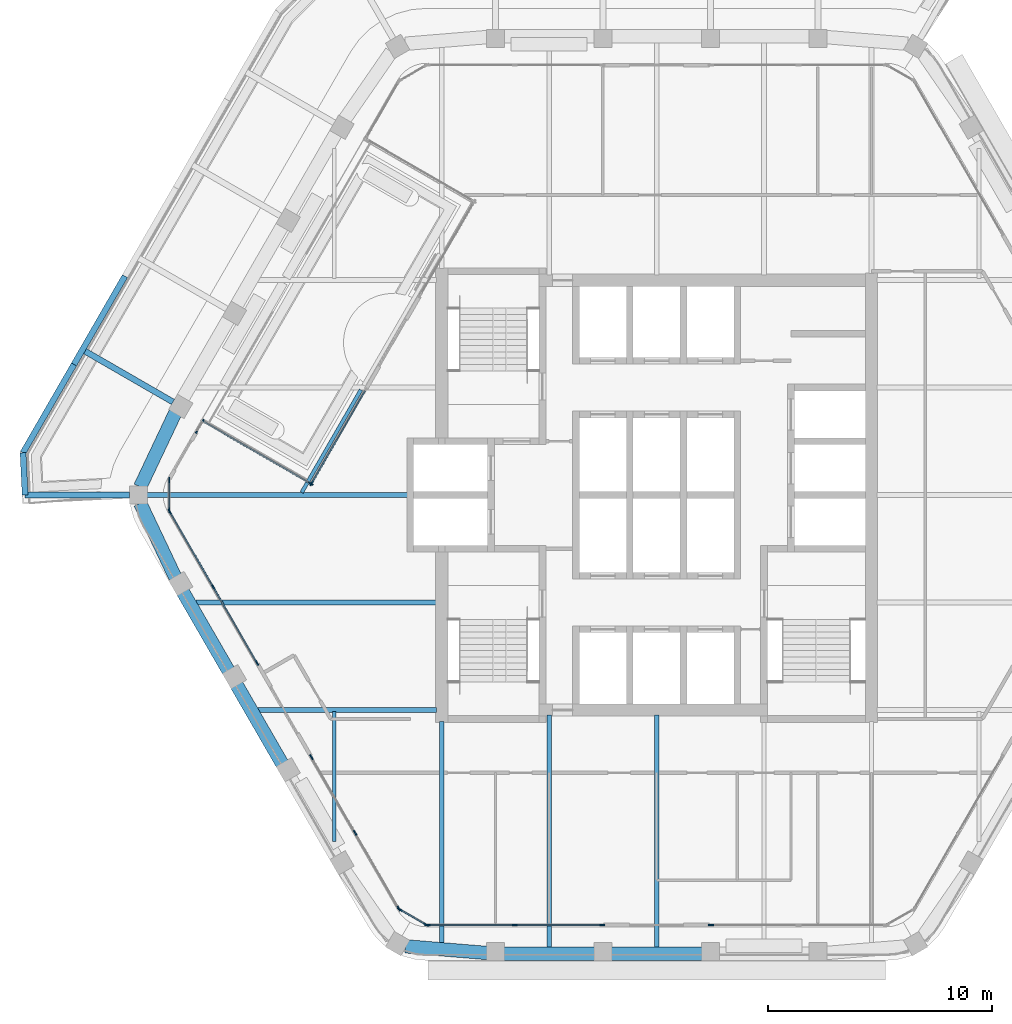
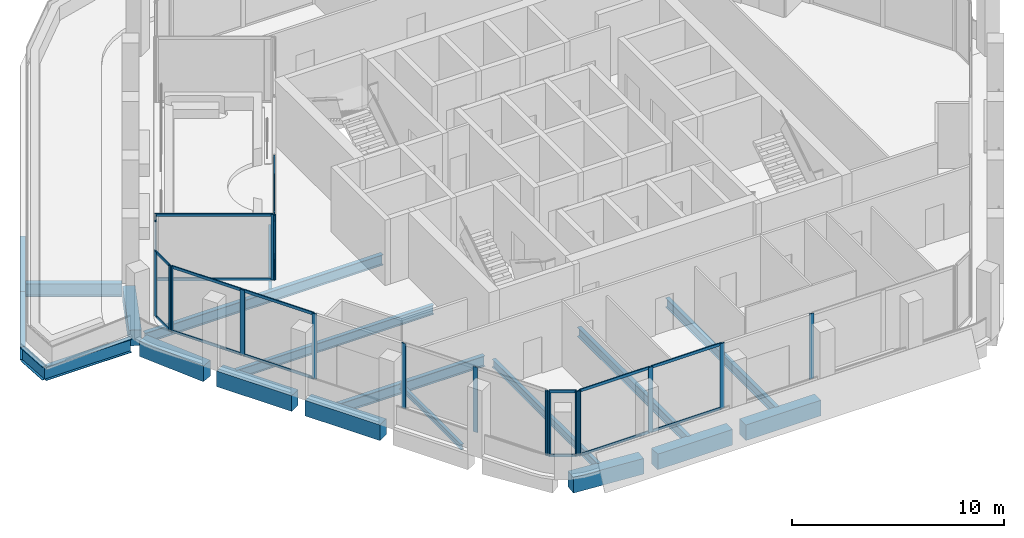
# One storey, part 2 of 16: 34 members, 20 beams, 9 elements without a shape of their own.
"""IFC4 building model written with IfcOpenShell, lengths in metres."""

from ifc_helpers import new_model, si_unit, direction, frame, origin, origin_2d, place, context, subcontext, project, spatial, rectangle, i_section, extrude, material, material_profile, profile_set, type_object, element, aggregate, save


model = new_model("IFC4")

# Units and contexts
model_context = context("Model", 3, precision=1e-05, world=origin(), true_north=direction((0.0, 1.0)))
body_context = subcontext(model_context, "Body", "Model", "MODEL_VIEW")
ifc_project = project(units=[si_unit("LENGTHUNIT", "METRE"), si_unit("AREAUNIT", "SQUARE_METRE"), si_unit("VOLUMEUNIT", "CUBIC_METRE"), si_unit("PLANEANGLEUNIT", "RADIAN"), si_unit("MASSUNIT", "GRAM", prefix="KILO")], contexts=[model_context])

# Site, building, storey
site_placement = place(None, origin())
site = spatial("IfcSite", under=ifc_project, at=site_placement, CompositionType="ELEMENT")
building_placement = place(site_placement, origin())
building = spatial("IfcBuilding", under=site, at=building_placement, Name="Kolab Exchange Tower", CompositionType="ELEMENT")
storey_placement = place(building_placement, frame((0.0, 0.0, 254.0)))
storey = spatial("IfcBuildingStorey", under=building, at=storey_placement, Name="L56", CompositionType="ELEMENT", Elevation=254.0)

# Beams
ifc_material_1 = material(Name="Steel S355", Category="steel")
ifc_material_profile_1 = material_profile(ifc_material_1, i_section(OverallWidth=0.1650390625, OverallDepth=0.31005859375, WebThickness=0.005859375, FlangeThickness=0.009765625, at=origin_2d()), Name="W310X39")
ifc_profile_set_1 = profile_set([ifc_material_profile_1], Name="Steel S355")
beam_type_1 = type_object("IfcBeamType", Name="FLOOR BEAM W310X39", PredefinedType="BEAM", material=ifc_profile_set_1)
beam_1_placement = place(storey_placement, frame((-15.85009765625, 0.114013671875, -0.304931640625), z_axis=(0.499980785011, 0.866036497279, 0.0), x_axis=(-0.866036497279, 0.499980785011, 0.0)))
element("IfcBeam", 1, at=beam_1_placement, inside=storey, type_object=beam_type_1, Name="beam/L56/fr/004", PredefinedType="BEAM", context=body_context, shape_type="SweptSolid", body=[
    extrude(i_section(OverallWidth=0.1650390625, OverallDepth=0.31005859375, WebThickness=0.005859375, FlangeThickness=0.009765625, at=origin_2d()), origin(), (0.0, 0.0, 1.0), 5.290283203125),
])
beam_2_placement = place(storey_placement, frame((-14.39990234375, -15.4677734375, -0.304931640625), z_axis=(0.0, 1.0, 0.0), x_axis=(-1.0, 0.0, 0.0)))
element("IfcBeam", 2, at=beam_2_placement, inside=storey, type_object=beam_type_1, Name="beam/L56/fr/006", PredefinedType="BEAM", context=body_context, shape_type="SweptSolid", body=[
    extrude(i_section(OverallWidth=0.1650390625, OverallDepth=0.31005859375, WebThickness=0.005859375, FlangeThickness=0.009765625, at=origin_2d()), origin(), (0.0, 0.0, 1.0), 5.793701171875),
])
ifc_material_profile_2 = material_profile(ifc_material_1, i_section(OverallWidth=0.18994140625, OverallDepth=0.45703125, WebThickness=0.009033203125, FlangeThickness=0.014404296875, at=origin_2d()), Name="W460X74")
ifc_profile_set_2 = profile_set([ifc_material_profile_2], Name="Steel S355")
beam_type_2 = type_object("IfcBeamType", Name="FLOOR BEAM W460X74", PredefinedType="BEAM", material=ifc_profile_set_2)
beam_3_placement = place(storey_placement, frame((-9.60009765625, -20.027099609375, -0.37841796875), z_axis=(0.0, 1.0, 0.0), x_axis=(-1.0, 0.0, 0.0)))
element("IfcBeam", 3, at=beam_3_placement, inside=storey, type_object=beam_type_2, Name="beam/L56/fr/010", PredefinedType="BEAM", context=body_context, shape_type="SweptSolid", body=[
    extrude(i_section(OverallWidth=0.18994140625, OverallDepth=0.45703125, WebThickness=0.009033203125, FlangeThickness=0.014404296875, at=origin_2d()), origin(), (0.0, 0.0, 1.0), 9.9169921875),
])
ifc_material_profile_3 = material_profile(ifc_material_1, i_section(OverallWidth=0.208984375, OverallDepth=0.532958984375, WebThickness=0.01025390625, FlangeThickness=0.015625, at=origin_2d()), Name="W530X92")
ifc_profile_set_3 = profile_set([ifc_material_profile_3], Name="Steel S355")
beam_type_3 = type_object("IfcBeamType", Name="FLOOR BEAM W530X92", PredefinedType="BEAM", material=ifc_profile_set_3)
beam_4_placement = place(storey_placement, frame((-20.575927734375, -4.800048828125, -0.41650390625), z_axis=(1.0, 0.0, 0.0), x_axis=(0.0, 1.0, 0.0)))
element("IfcBeam", 4, at=beam_4_placement, inside=storey, type_object=beam_type_3, Name="beam/L56/fr/001", PredefinedType="BEAM", context=body_context, shape_type="SweptSolid", body=[
    extrude(i_section(OverallWidth=0.208984375, OverallDepth=0.532958984375, WebThickness=0.01025390625, FlangeThickness=0.015625, at=origin_2d()), origin(), (0.0, 0.0, 1.0), 10.740966796875),
])
for number, where, z_axis, x_axis, name in (
    (5, (-4.800048828125, -20.224609375, -0.41650390625), (0.0, 1.0, 0.0), (-1.0, 0.0, 0.0), "beam/L56/fr/012"),
    (6, (0.0, -20.224609375, -0.41650390625), (0.0, 1.0, 0.0), (-1.0, 0.0, 0.0), "beam/L56/fr/014"),
):
    element("IfcBeam", number, at=place(storey_placement, frame(where, z_axis=z_axis, x_axis=x_axis)), inside=storey, type_object=beam_type_3, Name=name, PredefinedType="BEAM", context=body_context, shape_type="SweptSolid", body=[
        extrude(i_section(OverallWidth=0.208984375, OverallDepth=0.532958984375, WebThickness=0.01025390625, FlangeThickness=0.015625, at=origin_2d()), origin(), (0.0, 0.0, 1.0), 10.3896484375),
    ])
ifc_material_profile_4 = material_profile(ifc_material_1, i_section(OverallWidth=0.22802734375, OverallDepth=0.60791015625, WebThickness=0.01123046875, FlangeThickness=0.017333984375, at=origin_2d()), Name="W610X113")
ifc_profile_set_4 = profile_set([ifc_material_profile_4], Name="Steel S355")
beam_type_4 = type_object("IfcBeamType", Name="FLOOR BEAM W610X113", PredefinedType="BEAM", material=ifc_profile_set_4)
beam_5_placement = place(storey_placement, frame((-22.77587890625, 0.0, -0.4541015625), z_axis=(1.0, 0.0, 0.0), x_axis=(0.0, 1.0, 0.0)))
element("IfcBeam", 7, at=beam_5_placement, inside=storey, type_object=beam_type_4, Name="beam/L56/fr/000", PredefinedType="BEAM", context=body_context, shape_type="SweptSolid", body=[
    extrude(i_section(OverallWidth=0.22802734375, OverallDepth=0.60791015625, WebThickness=0.01123046875, FlangeThickness=0.017333984375, at=origin_2d()), origin(), (0.0, 0.0, 1.0), 12.94091796875),
])
ifc_material_profile_5 = material_profile(ifc_material_1, i_section(OverallWidth=0.22802734375, OverallDepth=0.60791015625, WebThickness=0.01123046875, FlangeThickness=0.017333984375, at=origin_2d()), Name="W610X113")
ifc_profile_set_5 = profile_set([ifc_material_profile_5], Name="Steel S355")
beam_type_5 = type_object("IfcBeamType", Name="FLOOR GIRDER W610X113", PredefinedType="BEAM", material=ifc_profile_set_5)
beam_6_placement = place(storey_placement, frame((-17.8046875, -9.60009765625, -0.4541015625), z_axis=(1.0, 0.0, 0.0), x_axis=(0.0, 1.0, 0.0)))
element("IfcBeam", 8, at=beam_6_placement, inside=storey, type_object=beam_type_5, Name="beam/L56/gd/000", PredefinedType="BEAM", context=body_context, shape_type="SweptSolid", body=[
    extrude(i_section(OverallWidth=0.22802734375, OverallDepth=0.60791015625, WebThickness=0.01123046875, FlangeThickness=0.017333984375, at=origin_2d()), origin(), (0.0, 0.0, 1.0), 7.9697265625),
])
ifc_material_profile_6 = material_profile(ifc_material_1, i_section(OverallWidth=0.26708984375, OverallDepth=0.761962890625, WebThickness=0.014404296875, FlangeThickness=0.021484375, at=origin_2d()), Name="W760X173")
ifc_profile_set_6 = profile_set([ifc_material_profile_6], Name="Steel S355")
beam_type_6 = type_object("IfcBeamType", Name="FLOOR GIRDER W760X173", PredefinedType="BEAM", material=ifc_profile_set_6)
beam_7_placement = place(storey_placement, frame((-23.535888671875, 0.0, -0.591064453125), z_axis=(-1.0, 0.0, 0.0), x_axis=(0.0, -1.0, 0.0)))
element("IfcBeam", 9, at=beam_7_placement, inside=storey, type_object=beam_type_6, Name="beam/L56/ledge/rib-00", PredefinedType="BEAM", context=body_context, shape_type="SweptSolid", body=[
    extrude(i_section(OverallWidth=0.26708984375, OverallDepth=0.761962890625, WebThickness=0.014404296875, FlangeThickness=0.021484375, at=origin_2d()), origin(), (0.0, 0.0, 1.0), 4.66650390625),
])
beam_8_placement = place(storey_placement, frame((-21.60009765625, 4.156982421875, -0.591064453125), z_axis=(-0.866030417568, 0.499991315771, 0.0), x_axis=(-0.499991315771, -0.866030417568, 0.0)))
element("IfcBeam", 10, at=beam_8_placement, inside=storey, type_object=beam_type_6, Name="beam/L56/ledge/rib-01", PredefinedType="BEAM", context=body_context, shape_type="SweptSolid", body=[
    extrude(i_section(OverallWidth=0.26708984375, OverallDepth=0.761962890625, WebThickness=0.014404296875, FlangeThickness=0.021484375, at=origin_2d()), origin(), (0.0, 0.0, 1.0), 4.53271484375),
])
beam_9_placement = place(storey_placement, frame((-28.20263671875, 0.0, -0.591064453125), z_axis=(-0.049931181973, 0.998752660606, 0.0), x_axis=(-0.998752660606, -0.049931181973, 0.0)))
element("IfcBeam", 11, at=beam_9_placement, inside=storey, type_object=beam_type_6, Name="beam/L56/ledge/edge-00", PredefinedType="BEAM", context=body_context, shape_type="SweptSolid", body=[
    extrude(i_section(OverallWidth=0.26708984375, OverallDepth=0.761962890625, WebThickness=0.014404296875, FlangeThickness=0.021484375, at=origin_2d()), origin(), (0.0, 0.0, 1.0), 1.892333984375),
])
for number, where, z_axis, x_axis, name in (
    (12, (-28.297119140625, 1.889892578125, -0.591064453125), (0.499974680739, 0.866040021373, 0.0), (-0.866040021373, 0.499974680739, 0.0), "beam/L56/ledge/edge-01"),
    (13, (-26.02099609375, 5.83251953125, -0.591064453125), (0.500014901547, 0.866016800201, 0.0), (-0.866016800201, 0.500014901547, 0.0), "beam/L56/ledge/edge-02"),
):
    element("IfcBeam", number, at=place(storey_placement, frame(where, z_axis=z_axis, x_axis=x_axis)), inside=storey, type_object=beam_type_6, Name=name, PredefinedType="BEAM", context=body_context, shape_type="SweptSolid", body=[
        extrude(i_section(OverallWidth=0.26708984375, OverallDepth=0.761962890625, WebThickness=0.014404296875, FlangeThickness=0.021484375, at=origin_2d()), origin(), (0.0, 0.0, 1.0), 4.552490234375),
    ])
ifc_material_2 = material(Name="Concrete C50/60", Category="concrete")
ifc_material_profile_7 = material_profile(ifc_material_2, rectangle(XDim=0.60009765625, YDim=0.89990234375, at=origin_2d()), Name="RC600X900")
ifc_profile_set_7 = profile_set([ifc_material_profile_7], Name="Concrete C50/60")
beam_type_7 = type_object("IfcBeamType", Name="SPANDREL BEAM 600X900 C50/60", PredefinedType="BEAM", material=ifc_profile_set_7)
for number, where, z_axis, x_axis, name in (
    (14, (2.0400390625, -20.484619140625, -0.60009765625), (-1.0, 0.0, 0.0), (0.0, -1.0, 0.0), "beam/L56/sp/F4-03"),
    (15, (-2.760009765625, -20.484619140625, -0.60009765625), (-1.0, 0.0, 0.0), (0.0, -1.0, 0.0), "beam/L56/sp/F4-04"),
):
    element("IfcBeam", number, at=place(storey_placement, frame(where, z_axis=z_axis, x_axis=x_axis)), inside=storey, type_object=beam_type_7, Name=name, PredefinedType="BEAM", context=body_context, shape_type="SweptSolid", body=[
        extrude(rectangle(XDim=0.60009765625, YDim=0.89990234375, at=origin_2d()), origin(), (0.0, 0.0, 1.0), 4.080078125),
    ])
beam_10_placement = place(storey_placement, frame((-7.56005859375, -20.455078125, -0.60009765625), z_axis=(-0.996666751878, 0.081580547323, 0.0), x_axis=(-0.081580547323, -0.996666751878, 0.0)))
element("IfcBeam", 16, at=beam_10_placement, inside=storey, type_object=beam_type_7, Name="beam/L56/sp/F4-05", PredefinedType="BEAM", context=body_context, shape_type="SweptSolid", body=[
    extrude(rectangle(XDim=0.60009765625, YDim=0.89990234375, at=origin_2d()), origin(), (0.0, 0.0, 1.0), 3.6689453125),
])
for number, where, z_axis, x_axis, name in (
    (17, (-16.72021484375, -12.009033203125, -0.60009765625), (-0.500000428765, 0.866025156237, 0.0), (-0.866025156237, -0.500000428765, 0.0), "beam/L56/sp/F5-03"),
    (18, (-19.1201171875, -7.85205078125, -0.60009765625), (-0.500000428765, 0.866025156237, 0.0), (-0.866025156237, -0.500000428765, 0.0), "beam/L56/sp/F5-04"),
):
    element("IfcBeam", number, at=place(storey_placement, frame(where, z_axis=z_axis, x_axis=x_axis)), inside=storey, type_object=beam_type_7, Name=name, PredefinedType="BEAM", context=body_context, shape_type="SweptSolid", body=[
        extrude(rectangle(XDim=0.60009765625, YDim=0.89990234375, at=origin_2d()), origin(), (0.0, 0.0, 1.0), 4.080078125),
    ])
for number, where, z_axis, x_axis, name in (
    (19, (-21.49462890625, -3.68017578125, -0.60009765625), (-0.427677251998, 0.903931506323, 0.0), (-0.903931506323, -0.427677251998, 0.0), "beam/L56/sp/F5-05"),
    (20, (-23.063720703125, 0.36376953125, -0.60009765625), (0.427677251998, 0.903931506323, 0.0), (-0.903931506323, 0.427677251998, 0.0), "beam/L56/sp/F6-01"),
):
    element("IfcBeam", number, at=place(storey_placement, frame(where, z_axis=z_axis, x_axis=x_axis)), inside=storey, type_object=beam_type_7, Name=name, PredefinedType="BEAM", context=body_context, shape_type="SweptSolid", body=[
        extrude(rectangle(XDim=0.60009765625, YDim=0.89990234375, at=origin_2d()), origin(), (0.0, 0.0, 1.0), 3.6689453125),
    ])

# Curtain wall, member
ifc_material_3 = material(Name="Aluminium EN AW-6063 T6", Category="aluminium")
curtain_wall_type = type_object("IfcCurtainWallType", Name="UNITISED HIGH ZONE CURTAIN WALL", PredefinedType="NOTDEFINED", material=ifc_material_3)
curtain_wall_1_placement = place(storey_placement, origin())
curtain_wall_1 = element("IfcCurtainWall", 21, at=curtain_wall_1_placement, inside=storey, type_object=curtain_wall_type, Name="cw/L56/F4-1", PredefinedType="NOTDEFINED")
ifc_material_profile_8 = material_profile(ifc_material_3, rectangle(XDim=0.06005859375, YDim=0.239990234375, at=origin_2d()), Name="RECT 60X240")
ifc_profile_set_8 = profile_set([ifc_material_profile_8], Name="Aluminium EN AW-6063 T6")
member_type_1 = type_object("IfcMemberType", Name="UNITISED HIGH ZONE MULLION 60 X 240", PredefinedType="MULLION", material=ifc_profile_set_8)
member_1_placement = place(storey_placement, frame((2.429931640625, -19.20458984375, 0.0), z_axis=(0.0, 0.0, 1.0), x_axis=(0.0, -1.0, 0.0)))
member_1 = element("IfcMember", 22, at=member_1_placement, type_object=member_type_1, Name="CW4 mullion 3", PredefinedType="MULLION", context=body_context, shape_type="SweptSolid", body=[
    extrude(rectangle(XDim=0.06005859375, YDim=0.239990234375, at=origin_2d()), origin(), (0.0, 0.0, 1.0), 3.75),
])
aggregate(curtain_wall_1, [member_1])

# Curtain wall, members
curtain_wall_2_placement = place(storey_placement, origin())
curtain_wall_2 = element("IfcCurtainWall", 23, at=curtain_wall_2_placement, inside=storey, type_object=curtain_wall_type, Name="cw/L56/F4-2", PredefinedType="NOTDEFINED")
member_2_placement = place(storey_placement, frame((-2.429931640625, -19.20458984375, 0.0), z_axis=(0.0, 0.0, 1.0), x_axis=(0.0, -1.0, 0.0)))
member_2 = element("IfcMember", 24, at=member_2_placement, type_object=member_type_1, Name="CW4 mullion 1", PredefinedType="MULLION", context=body_context, shape_type="SweptSolid", body=[
    extrude(rectangle(XDim=0.06005859375, YDim=0.239990234375, at=origin_2d()), origin(), (0.0, 0.0, 1.0), 3.75),
])
member_3_placement = place(storey_placement, frame((-6.333984375, -19.20458984375, 0.0), z_axis=(0.0, 0.0, 1.0), x_axis=(0.0, -1.0, 0.0)))
member_3 = element("IfcMember", 25, at=member_3_placement, type_object=member_type_1, Name="CW4 mullion 2", PredefinedType="MULLION", context=body_context, shape_type="SweptSolid", body=[
    extrude(rectangle(XDim=0.06005859375, YDim=0.239990234375, at=origin_2d()), origin(), (0.0, 0.0, 1.0), 3.75),
])
member_4_placement = place(storey_placement, frame((-10.238037109375, -19.20458984375, 0.0), z_axis=(0.0, 0.0, 1.0), x_axis=(0.0, -1.0, 0.0)))
member_4 = element("IfcMember", 26, at=member_4_placement, type_object=member_type_1, Name="CW4 mullion 3", PredefinedType="MULLION", context=body_context, shape_type="SweptSolid", body=[
    extrude(rectangle(XDim=0.06005859375, YDim=0.239990234375, at=origin_2d()), origin(), (0.0, 0.0, 1.0), 3.75),
])

curtain_wall_3_placement = place(storey_placement, origin())
curtain_wall_3 = element("IfcCurtainWall", 27, at=curtain_wall_3_placement, inside=storey, type_object=curtain_wall_type, Name="cw/L56/F5-1", PredefinedType="NOTDEFINED")
member_5_placement = place(storey_placement, frame((-11.5126953125, -18.46875, 0.0), z_axis=(0.0, 0.0, 1.0), x_axis=(-0.866025385493, -0.500000031681, 0.0)))
member_5 = element("IfcMember", 28, at=member_5_placement, type_object=member_type_1, Name="CW4 mullion 1", PredefinedType="MULLION", context=body_context, shape_type="SweptSolid", body=[
    extrude(rectangle(XDim=0.06005859375, YDim=0.239990234375, at=origin_2d()), origin(), (0.0, 0.0, 1.0), 3.75),
])
member_6_placement = place(storey_placement, frame((-13.464599609375, -15.087646484375, 0.0), z_axis=(0.0, 0.0, 1.0), x_axis=(-0.866025385493, -0.500000031681, 0.0)))
member_6 = element("IfcMember", 29, at=member_6_placement, type_object=member_type_1, Name="CW4 mullion 2", PredefinedType="MULLION", context=body_context, shape_type="SweptSolid", body=[
    extrude(rectangle(XDim=0.06005859375, YDim=0.239990234375, at=origin_2d()), origin(), (0.0, 0.0, 1.0), 3.75),
])
member_7_placement = place(storey_placement, frame((-15.416748046875, -11.706787109375, 0.0), z_axis=(0.0, 0.0, 1.0), x_axis=(-0.866025385493, -0.500000031681, 0.0)))
member_7 = element("IfcMember", 30, at=member_7_placement, type_object=member_type_1, Name="CW4 mullion 3", PredefinedType="MULLION", context=body_context, shape_type="SweptSolid", body=[
    extrude(rectangle(XDim=0.06005859375, YDim=0.239990234375, at=origin_2d()), origin(), (0.0, 0.0, 1.0), 3.75),
])
aggregate(curtain_wall_3, [member_5, member_6, member_7])

curtain_wall_4_placement = place(storey_placement, origin())
curtain_wall_4 = element("IfcCurtainWall", 31, at=curtain_wall_4_placement, inside=storey, type_object=curtain_wall_type, Name="cw/L56/F5-2", PredefinedType="NOTDEFINED")
member_8_placement = place(storey_placement, frame((-17.8466796875, -7.497802734375, 0.0), z_axis=(0.0, 0.0, 1.0), x_axis=(-0.866025440524, -0.499999936366, 0.0)))
member_8 = element("IfcMember", 32, at=member_8_placement, type_object=member_type_1, Name="CW4 mullion 1", PredefinedType="MULLION", context=body_context, shape_type="SweptSolid", body=[
    extrude(rectangle(XDim=0.06005859375, YDim=0.239990234375, at=origin_2d()), origin(), (0.0, 0.0, 1.0), 3.75),
])
member_9_placement = place(storey_placement, frame((-19.798583984375, -4.116943359375, 0.0), z_axis=(0.0, 0.0, 1.0), x_axis=(-0.866025440524, -0.499999936366, 0.0)))
member_9 = element("IfcMember", 33, at=member_9_placement, type_object=member_type_1, Name="CW4 mullion 2", PredefinedType="MULLION", context=body_context, shape_type="SweptSolid", body=[
    extrude(rectangle(XDim=0.06005859375, YDim=0.239990234375, at=origin_2d()), origin(), (0.0, 0.0, 1.0), 3.75),
])
member_10_placement = place(storey_placement, frame((-21.750732421875, -0.736083984375, 0.0), z_axis=(0.0, 0.0, 1.0), x_axis=(-0.866025440524, -0.499999936366, 0.0)))
member_10 = element("IfcMember", 34, at=member_10_placement, type_object=member_type_1, Name="CW4 mullion 3", PredefinedType="MULLION", context=body_context, shape_type="SweptSolid", body=[
    extrude(rectangle(XDim=0.06005859375, YDim=0.239990234375, at=origin_2d()), origin(), (0.0, 0.0, 1.0), 3.75),
])

curtain_wall_5_placement = place(storey_placement, origin())
curtain_wall_5 = element("IfcCurtainWall", 35, at=curtain_wall_5_placement, inside=storey, type_object=curtain_wall_type, Name="cw/L56/F6-l-1", PredefinedType="NOTDEFINED")
member_11_placement = place(storey_placement, frame((-20.520751953125, 2.866455078125, 0.0), z_axis=(0.0, 0.0, 1.0), x_axis=(-0.866025697436, 0.49999949138, 0.0)))
member_11 = element("IfcMember", 36, at=member_11_placement, type_object=member_type_1, Name="CW4 mullion 1", PredefinedType="MULLION", context=body_context, shape_type="SweptSolid", body=[
    extrude(rectangle(XDim=0.06005859375, YDim=0.239990234375, at=origin_2d()), origin(), (0.0, 0.0, 1.0), 3.75),
])
member_12_placement = place(storey_placement, frame((-20.28662109375, 3.271728515625, 0.0), z_axis=(0.0, 0.0, 1.0), x_axis=(-0.866025697436, 0.49999949138, 0.0)))
member_12 = element("IfcMember", 37, at=member_12_placement, type_object=member_type_1, Name="CW4 mullion 2", PredefinedType="MULLION", context=body_context, shape_type="SweptSolid", body=[
    extrude(rectangle(XDim=0.06005859375, YDim=0.239990234375, at=origin_2d()), origin(), (0.0, 0.0, 1.0), 3.75),
])
aggregate(curtain_wall_5, [member_11, member_12])

# Curtain wall, member
curtain_wall_6_placement = place(storey_placement, origin())
curtain_wall_6 = element("IfcCurtainWall", 38, at=curtain_wall_6_placement, inside=storey, type_object=curtain_wall_type, Name="cw/L56/F6-rl-1", PredefinedType="NOTDEFINED")
member_13_placement = place(storey_placement, frame((-15.447998046875, 0.5126953125, 0.0), z_axis=(0.0, 0.0, 1.0), x_axis=(0.500000020194, 0.866025392126, 0.0)))
member_13 = element("IfcMember", 39, at=member_13_placement, type_object=member_type_1, Name="CW4 mullion 2", PredefinedType="MULLION", context=body_context, shape_type="SweptSolid", body=[
    extrude(rectangle(XDim=0.06005859375, YDim=0.239990234375, at=origin_2d()), origin(), (0.0, 0.0, 1.0), 3.75),
])

curtain_wall_7_placement = place(storey_placement, origin())
curtain_wall_7 = element("IfcCurtainWall", 40, at=curtain_wall_7_placement, inside=storey, type_object=curtain_wall_type, Name="cw/L56/F6-back-1", PredefinedType="NOTDEFINED")
member_14_placement = place(storey_placement, frame((-15.406982421875, 0.523681640625, 0.0), z_axis=(0.0, 0.0, 1.0), x_axis=(-0.866025376121, 0.500000047915, 0.0)))
member_14 = element("IfcMember", 41, at=member_14_placement, type_object=member_type_1, Name="CW4 mullion 1", PredefinedType="MULLION", context=body_context, shape_type="SweptSolid", body=[
    extrude(rectangle(XDim=0.06005859375, YDim=0.239990234375, at=origin_2d()), origin(), (0.0, 0.0, 1.0), 3.75),
])

# Curtain wall, members
curtain_wall_8_placement = place(storey_placement, origin())
curtain_wall_8 = element("IfcCurtainWall", 42, at=curtain_wall_8_placement, inside=storey, type_object=curtain_wall_type, Name="cw/L56/F4F5-corner", PredefinedType="NOTDEFINED")
member_15_placement = place(storey_placement, frame((-10.2939453125, -19.189697265625, 0.0), z_axis=(0.0, 0.0, 1.0), x_axis=(-0.50000002237, -0.866025390869, 0.0)))
member_15 = element("IfcMember", 43, at=member_15_placement, type_object=member_type_1, Name="CW4 mullion 1", PredefinedType="MULLION", context=body_context, shape_type="SweptSolid", body=[
    extrude(rectangle(XDim=0.06005859375, YDim=0.239990234375, at=origin_2d()), origin(), (0.0, 0.0, 1.0), 3.75),
])
member_16_placement = place(storey_placement, frame((-11.4716796875, -18.509521484375, 0.0), z_axis=(0.0, 0.0, 1.0), x_axis=(-0.50000002237, -0.866025390869, 0.0)))
member_16 = element("IfcMember", 44, at=member_16_placement, type_object=member_type_1, Name="CW4 mullion 2", PredefinedType="MULLION", context=body_context, shape_type="SweptSolid", body=[
    extrude(rectangle(XDim=0.06005859375, YDim=0.239990234375, at=origin_2d()), origin(), (0.0, 0.0, 1.0), 3.75),
])

curtain_wall_9_placement = place(storey_placement, origin())
curtain_wall_9 = element("IfcCurtainWall", 45, at=curtain_wall_9_placement, inside=storey, type_object=curtain_wall_type, Name="cw/L56/F5F6-corner", PredefinedType="NOTDEFINED")
member_17_placement = place(storey_placement, frame((-21.765625, -0.679931640625, 0.0), z_axis=(0.0, 0.0, 1.0), x_axis=(-1.0, 0.0, 0.0)))
member_17 = element("IfcMember", 46, at=member_17_placement, type_object=member_type_1, Name="CW4 mullion 1", PredefinedType="MULLION", context=body_context, shape_type="SweptSolid", body=[
    extrude(rectangle(XDim=0.06005859375, YDim=0.239990234375, at=origin_2d()), origin(), (0.0, 0.0, 1.0), 3.75),
])
member_18_placement = place(storey_placement, frame((-21.765625, 0.679931640625, 0.0), z_axis=(0.0, 0.0, 1.0), x_axis=(-1.0, 0.0, 0.0)))
member_18 = element("IfcMember", 47, at=member_18_placement, type_object=member_type_1, Name="CW4 mullion 2", PredefinedType="MULLION", context=body_context, shape_type="SweptSolid", body=[
    extrude(rectangle(XDim=0.06005859375, YDim=0.239990234375, at=origin_2d()), origin(), (0.0, 0.0, 1.0), 3.75),
])

# Member
ifc_material_profile_9 = material_profile(ifc_material_3, rectangle(XDim=0.06005859375, YDim=0.159912109375, at=origin_2d()), Name="RECT 60X160")
ifc_profile_set_9 = profile_set([ifc_material_profile_9], Name="Aluminium EN AW-6063 T6")
member_type_2 = type_object("IfcMemberType", Name="UNITISED HIGH ZONE TRANSOM 60 X 160", PredefinedType="USERDEFINED", material=ifc_profile_set_9)
member_19_placement = place(storey_placement, frame((-2.4599609375, -19.20458984375, 0.030029296875), z_axis=(-1.0, 0.0, 0.0), x_axis=(0.0, -1.0, 0.0)))
member_19 = element("IfcMember", 48, at=member_19_placement, type_object=member_type_2, Name="CW4 transom 1.1", ObjectType="TRANSOM", PredefinedType="USERDEFINED", context=body_context, shape_type="SweptSolid", body=[
    extrude(rectangle(XDim=0.06005859375, YDim=0.159912109375, at=origin_2d()), origin(), (0.0, 0.0, 1.0), 3.843994140625),
])

member_20_placement = place(storey_placement, frame((-2.4599609375, -19.20458984375, 3.719970703125), z_axis=(-1.0, 0.0, 0.0), x_axis=(0.0, -1.0, 0.0)))
member_20 = element("IfcMember", 49, at=member_20_placement, type_object=member_type_2, Name="CW4 transom 1.2", ObjectType="TRANSOM", PredefinedType="USERDEFINED", context=body_context, shape_type="SweptSolid", body=[
    extrude(rectangle(XDim=0.06005859375, YDim=0.159912109375, at=origin_2d()), origin(), (0.0, 0.0, 1.0), 3.843994140625),
])

member_21_placement = place(storey_placement, frame((-6.364013671875, -19.20458984375, 0.030029296875), z_axis=(-1.0, 0.0, 0.0), x_axis=(0.0, -1.0, 0.0)))
member_21 = element("IfcMember", 50, at=member_21_placement, type_object=member_type_2, Name="CW4 transom 2.1", ObjectType="TRANSOM", PredefinedType="USERDEFINED", context=body_context, shape_type="SweptSolid", body=[
    extrude(rectangle(XDim=0.06005859375, YDim=0.159912109375, at=origin_2d()), origin(), (0.0, 0.0, 1.0), 3.843994140625),
])

member_22_placement = place(storey_placement, frame((-6.364013671875, -19.20458984375, 3.719970703125), z_axis=(-1.0, 0.0, 0.0), x_axis=(0.0, -1.0, 0.0)))
member_22 = element("IfcMember", 51, at=member_22_placement, type_object=member_type_2, Name="CW4 transom 2.2", ObjectType="TRANSOM", PredefinedType="USERDEFINED", context=body_context, shape_type="SweptSolid", body=[
    extrude(rectangle(XDim=0.06005859375, YDim=0.159912109375, at=origin_2d()), origin(), (0.0, 0.0, 1.0), 3.843994140625),
])

aggregate(curtain_wall_2, [member_2, member_3, member_4, member_19, member_20, member_21, member_22])

member_23_placement = place(storey_placement, frame((-17.861572265625, -7.471923828125, 0.030029296875), z_axis=(-0.500011990396, 0.866018481016, 0.0), x_axis=(-0.866018481016, -0.500011990396, 0.0)))
member_23 = element("IfcMember", 52, at=member_23_placement, type_object=member_type_2, Name="CW4 transom 1.1", ObjectType="TRANSOM", PredefinedType="USERDEFINED", context=body_context, shape_type="SweptSolid", body=[
    extrude(rectangle(XDim=0.06005859375, YDim=0.159912109375, at=origin_2d()), origin(), (0.0, 0.0, 1.0), 3.84423828125),
])

member_24_placement = place(storey_placement, frame((-17.861572265625, -7.471923828125, 3.719970703125), z_axis=(-0.500011990396, 0.866018481016, 0.0), x_axis=(-0.866018481016, -0.500011990396, 0.0)))
member_24 = element("IfcMember", 53, at=member_24_placement, type_object=member_type_2, Name="CW4 transom 1.2", ObjectType="TRANSOM", PredefinedType="USERDEFINED", context=body_context, shape_type="SweptSolid", body=[
    extrude(rectangle(XDim=0.06005859375, YDim=0.159912109375, at=origin_2d()), origin(), (0.0, 0.0, 1.0), 3.84423828125),
])

member_25_placement = place(storey_placement, frame((-19.813720703125, -4.0908203125, 0.030029296875), z_axis=(-0.499991857942, 0.866030104553, 0.0), x_axis=(-0.866030104553, -0.499991857942, 0.0)))
member_25 = element("IfcMember", 54, at=member_25_placement, type_object=member_type_2, Name="CW4 transom 2.1", ObjectType="TRANSOM", PredefinedType="USERDEFINED", context=body_context, shape_type="SweptSolid", body=[
    extrude(rectangle(XDim=0.06005859375, YDim=0.159912109375, at=origin_2d()), origin(), (0.0, 0.0, 1.0), 3.84375),
])

member_26_placement = place(storey_placement, frame((-19.813720703125, -4.0908203125, 3.719970703125), z_axis=(-0.499991857942, 0.866030104553, 0.0), x_axis=(-0.866030104553, -0.499991857942, 0.0)))
member_26 = element("IfcMember", 55, at=member_26_placement, type_object=member_type_2, Name="CW4 transom 2.2", ObjectType="TRANSOM", PredefinedType="USERDEFINED", context=body_context, shape_type="SweptSolid", body=[
    extrude(rectangle(XDim=0.06005859375, YDim=0.159912109375, at=origin_2d()), origin(), (0.0, 0.0, 1.0), 3.84375),
])

aggregate(curtain_wall_4, [member_8, member_9, member_10, member_23, member_24, member_25, member_26])

member_27_placement = place(storey_placement, frame((-20.2197265625, 3.267578125, 0.030029296875), z_axis=(0.866027562125, -0.499996261625, 0.0), x_axis=(0.499996261625, 0.866027562125, 0.0)))
member_27 = element("IfcMember", 56, at=member_27_placement, type_object=member_type_2, Name="CW4 transom 1.1", ObjectType="TRANSOM", PredefinedType="USERDEFINED", context=body_context, shape_type="SweptSolid", body=[
    extrude(rectangle(XDim=0.06005859375, YDim=0.159912109375, at=origin_2d()), origin(), (0.0, 0.0, 1.0), 5.47998046875),
])

member_28_placement = place(storey_placement, frame((-20.2197265625, 3.267578125, 3.719970703125), z_axis=(0.866027562125, -0.499996261625, 0.0), x_axis=(0.499996261625, 0.866027562125, 0.0)))
member_28 = element("IfcMember", 57, at=member_28_placement, type_object=member_type_2, Name="CW4 transom 1.2", ObjectType="TRANSOM", PredefinedType="USERDEFINED", context=body_context, shape_type="SweptSolid", body=[
    extrude(rectangle(XDim=0.06005859375, YDim=0.159912109375, at=origin_2d()), origin(), (0.0, 0.0, 1.0), 5.47998046875),
])

aggregate(curtain_wall_6, [member_13, member_27, member_28])

member_29_placement = place(storey_placement, frame((-15.391845703125, 0.549560546875, 0.030029296875), z_axis=(0.499972493535, 0.866041284067, 0.0), x_axis=(-0.866041284067, 0.499972493535, 0.0)))
member_29 = element("IfcMember", 58, at=member_29_placement, type_object=member_type_2, Name="CW4 transom 1.1", ObjectType="TRANSOM", PredefinedType="USERDEFINED", context=body_context, shape_type="SweptSolid", body=[
    extrude(rectangle(XDim=0.06005859375, YDim=0.159912109375, at=origin_2d()), origin(), (0.0, 0.0, 1.0), 4.733154296875),
])

member_30_placement = place(storey_placement, frame((-15.391845703125, 0.549560546875, 3.719970703125), z_axis=(0.499972493535, 0.866041284067, 0.0), x_axis=(-0.866041284067, 0.499972493535, 0.0)))
member_30 = element("IfcMember", 59, at=member_30_placement, type_object=member_type_2, Name="CW4 transom 1.2", ObjectType="TRANSOM", PredefinedType="USERDEFINED", context=body_context, shape_type="SweptSolid", body=[
    extrude(rectangle(XDim=0.06005859375, YDim=0.159912109375, at=origin_2d()), origin(), (0.0, 0.0, 1.0), 4.733154296875),
])

aggregate(curtain_wall_7, [member_14, member_29, member_30])

member_31_placement = place(storey_placement, frame((-10.31982421875, -19.174560546875, 0.030029296875), z_axis=(-0.866085525409, 0.49989585183, 0.0), x_axis=(-0.49989585183, -0.866085525409, 0.0)))
member_31 = element("IfcMember", 60, at=member_31_placement, type_object=member_type_2, Name="CW4 transom 1.1", ObjectType="TRANSOM", PredefinedType="USERDEFINED", context=body_context, shape_type="SweptSolid", body=[
    extrude(rectangle(XDim=0.06005859375, YDim=0.159912109375, at=origin_2d()), origin(), (0.0, 0.0, 1.0), 1.300048828125),
])

member_32_placement = place(storey_placement, frame((-10.31982421875, -19.174560546875, 3.719970703125), z_axis=(-0.866085525409, 0.49989585183, 0.0), x_axis=(-0.49989585183, -0.866085525409, 0.0)))
member_32 = element("IfcMember", 61, at=member_32_placement, type_object=member_type_2, Name="CW4 transom 1.2", ObjectType="TRANSOM", PredefinedType="USERDEFINED", context=body_context, shape_type="SweptSolid", body=[
    extrude(rectangle(XDim=0.06005859375, YDim=0.159912109375, at=origin_2d()), origin(), (0.0, 0.0, 1.0), 1.300048828125),
])

aggregate(curtain_wall_8, [member_15, member_16, member_31, member_32])

member_33_placement = place(storey_placement, frame((-21.765625, -0.64990234375, 0.030029296875), z_axis=(0.0, 1.0, 0.0), x_axis=(-1.0, 0.0, 0.0)))
member_33 = element("IfcMember", 62, at=member_33_placement, type_object=member_type_2, Name="CW4 transom 1.1", ObjectType="TRANSOM", PredefinedType="USERDEFINED", context=body_context, shape_type="SweptSolid", body=[
    extrude(rectangle(XDim=0.06005859375, YDim=0.159912109375, at=origin_2d()), origin(), (0.0, 0.0, 1.0), 1.2998046875),
])

member_34_placement = place(storey_placement, frame((-21.765625, -0.64990234375, 3.719970703125), z_axis=(0.0, 1.0, 0.0), x_axis=(-1.0, 0.0, 0.0)))
member_34 = element("IfcMember", 63, at=member_34_placement, type_object=member_type_2, Name="CW4 transom 1.2", ObjectType="TRANSOM", PredefinedType="USERDEFINED", context=body_context, shape_type="SweptSolid", body=[
    extrude(rectangle(XDim=0.06005859375, YDim=0.159912109375, at=origin_2d()), origin(), (0.0, 0.0, 1.0), 1.2998046875),
])

aggregate(curtain_wall_9, [member_17, member_18, member_33, member_34])

save(model, "model.ifc")
